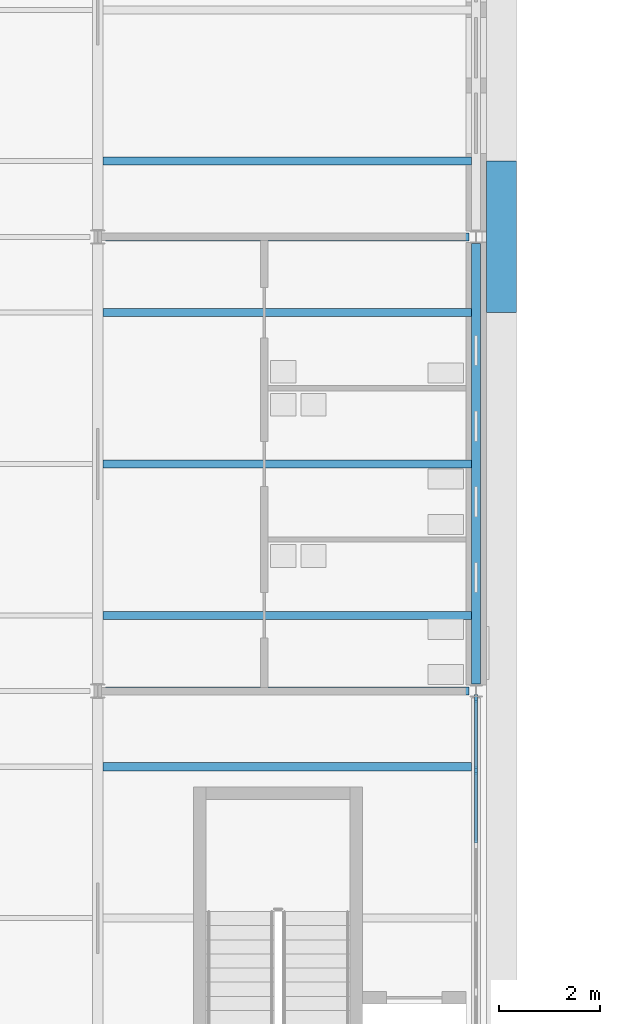
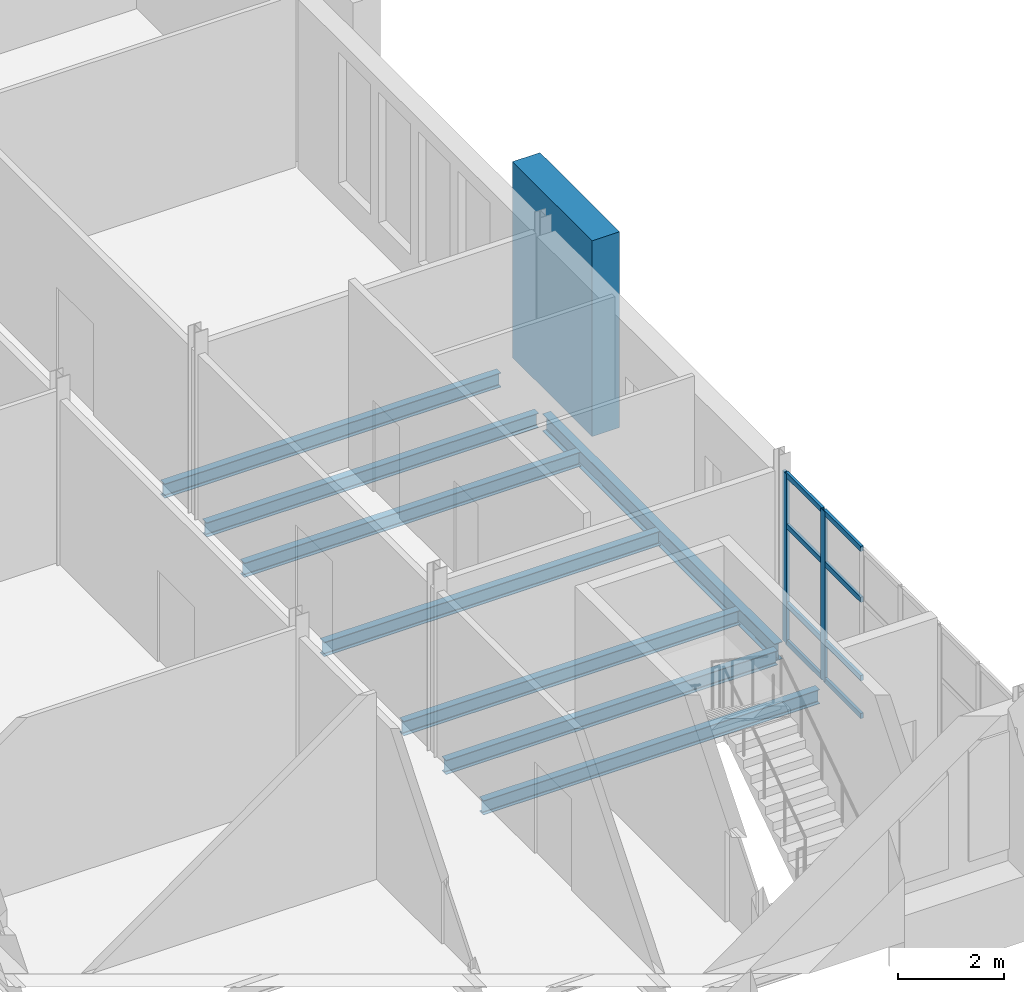
# One storey, part 35 of 131: 11 members, 8 beams, 1 element without a shape of its own.
"""IFC4 building model written with IfcOpenShell, lengths in metres."""

from ifc_helpers import new_model, si_unit, direction, frame, origin, origin_2d, place, context, subcontext, project, spatial, rectangle, i_section, extrude, material, layer, layer_set, material_profile, profile_set, type_object, element, aggregate, save


model = new_model("IFC4")

# Units and contexts
model_context = context("Model", 3, precision=1e-05, world=origin(), true_north=direction((0.0, 1.0)))
body_context = subcontext(model_context, "Body", "Model", "MODEL_VIEW")
ifc_project = project(units=[si_unit("LENGTHUNIT", "METRE"), si_unit("AREAUNIT", "SQUARE_METRE"), si_unit("VOLUMEUNIT", "CUBIC_METRE"), si_unit("PLANEANGLEUNIT", "RADIAN"), si_unit("MASSUNIT", "GRAM", prefix="KILO")], contexts=[model_context])

# Site, building, storey
site_placement = place(None, origin())
site = spatial("IfcSite", under=ifc_project, at=site_placement, CompositionType="ELEMENT")
building_placement = place(site_placement, origin())
building = spatial("IfcBuilding", under=site, at=building_placement, Name="Golden Quay Civic Hall", CompositionType="ELEMENT")
storey_placement = place(building_placement, frame((0.0, 0.0, 9.89990234375)))
storey = spatial("IfcBuildingStorey", under=building, at=storey_placement, Name="L02", CompositionType="ELEMENT", Elevation=9.89990234375)

# Curtain wall, members
ifc_material_1 = material(Name="Glass, laminated double glazed", Category="glass")
ifc_layer = layer(ifc_material_1, 0.199951171875)
ifc_layer_set = layer_set([ifc_layer], Name="Glazed core strip curtain wall")
curtain_wall_type = type_object("IfcCurtainWallType", Name="Glazed core strip curtain wall", PredefinedType="NOTDEFINED", material=ifc_layer_set)
curtain_wall_placement = place(storey_placement, origin())
curtain_wall = element("IfcCurtainWall", 1, at=curtain_wall_placement, inside=storey, type_object=curtain_wall_type, Name="Glazed core strip curtain wall L02 4", PredefinedType="NOTDEFINED")
ifc_material_2 = material(Name="Aluminium, anodised", Category="aluminium")
ifc_material_profile_1 = material_profile(ifc_material_2, rectangle(XDim=0.06005859375, YDim=0.159912109375, at=origin_2d()), Name="Aluminium 60 x 160")
ifc_profile_set_1 = profile_set([ifc_material_profile_1], Name="Aluminium, anodised")
member_type_1 = type_object("IfcMemberType", Name="Aluminium mullion 60 x 160", PredefinedType="MULLION", material=ifc_profile_set_1)
member_1_placement = place(storey_placement, frame((117.0, 8.85498046875, 0.0), z_axis=(0.0, 0.0, 1.0), x_axis=(1.0, 0.0, 0.0)))
member_1 = element("IfcMember", 2, at=member_1_placement, type_object=member_type_1, Name="CW2 mullion 1", PredefinedType="MULLION", context=body_context, shape_type="SweptSolid", body=[
    extrude(rectangle(XDim=0.06005859375, YDim=0.159912109375, at=origin_2d()), origin(), (0.0, 0.0, 1.0), 3.900146484375),
])
member_2_placement = place(storey_placement, frame((117.0, 7.42333984375, 0.0), z_axis=(0.0, 0.0, 1.0), x_axis=(1.0, 0.0, 0.0)))
member_2 = element("IfcMember", 3, at=member_2_placement, type_object=member_type_1, Name="CW2 mullion 2", PredefinedType="MULLION", context=body_context, shape_type="SweptSolid", body=[
    extrude(rectangle(XDim=0.06005859375, YDim=0.159912109375, at=origin_2d()), origin(), (0.0, 0.0, 1.0), 3.900146484375),
])
ifc_material_3 = material(Name="Aluminium, anodised", Category="aluminium")
ifc_material_profile_2 = material_profile(ifc_material_3, rectangle(XDim=0.06005859375, YDim=0.1201171875, at=origin_2d()), Name="Aluminium 60 x 120")
ifc_profile_set_2 = profile_set([ifc_material_profile_2], Name="Aluminium, anodised")
member_type_2 = type_object("IfcMemberType", Name="Aluminium transom 60 x 120", PredefinedType="USERDEFINED", material=ifc_profile_set_2)
member_3_placement = place(storey_placement, frame((117.0, 8.824951171875, 0.030029296875), z_axis=(0.0, -1.0, 0.0), x_axis=(1.0, 0.0, 0.0)))
member_3 = element("IfcMember", 4, at=member_3_placement, type_object=member_type_2, Name="CW2 transom 1.1", ObjectType="TRANSOM", PredefinedType="USERDEFINED", context=body_context, shape_type="SweptSolid", body=[
    extrude(rectangle(XDim=0.06005859375, YDim=0.1201171875, at=origin_2d()), origin(), (0.0, 0.0, 1.0), 1.37158203125),
])
member_4_placement = place(storey_placement, frame((117.0, 8.824951171875, 0.900146484375), z_axis=(0.0, -1.0, 0.0), x_axis=(1.0, 0.0, 0.0)))
member_4 = element("IfcMember", 5, at=member_4_placement, type_object=member_type_2, Name="CW2 transom 1.2", ObjectType="TRANSOM", PredefinedType="USERDEFINED", context=body_context, shape_type="SweptSolid", body=[
    extrude(rectangle(XDim=0.06005859375, YDim=0.1201171875, at=origin_2d()), origin(), (0.0, 0.0, 1.0), 1.37158203125),
])
member_5_placement = place(storey_placement, frame((117.0, 8.824951171875, 2.7001953125), z_axis=(0.0, -1.0, 0.0), x_axis=(1.0, 0.0, 0.0)))
member_5 = element("IfcMember", 6, at=member_5_placement, type_object=member_type_2, Name="CW2 transom 1.3", ObjectType="TRANSOM", PredefinedType="USERDEFINED", context=body_context, shape_type="SweptSolid", body=[
    extrude(rectangle(XDim=0.06005859375, YDim=0.1201171875, at=origin_2d()), origin(), (0.0, 0.0, 1.0), 1.37158203125),
])
member_6_placement = place(storey_placement, frame((117.0, 8.824951171875, 3.8701171875), z_axis=(0.0, -1.0, 0.0), x_axis=(1.0, 0.0, 0.0)))
member_6 = element("IfcMember", 7, at=member_6_placement, type_object=member_type_2, Name="CW2 transom 1.4", ObjectType="TRANSOM", PredefinedType="USERDEFINED", context=body_context, shape_type="SweptSolid", body=[
    extrude(rectangle(XDim=0.06005859375, YDim=0.1201171875, at=origin_2d()), origin(), (0.0, 0.0, 1.0), 1.37158203125),
])
member_7_placement = place(storey_placement, frame((117.0, 7.393310546875, 0.030029296875), z_axis=(0.0, -1.0, 0.0), x_axis=(1.0, 0.0, 0.0)))
member_7 = element("IfcMember", 8, at=member_7_placement, type_object=member_type_2, Name="CW2 transom 2.1", ObjectType="TRANSOM", PredefinedType="USERDEFINED", context=body_context, shape_type="SweptSolid", body=[
    extrude(rectangle(XDim=0.06005859375, YDim=0.1201171875, at=origin_2d()), origin(), (0.0, 0.0, 1.0), 1.401611328125),
])
member_8_placement = place(storey_placement, frame((117.0, 7.393310546875, 0.900146484375), z_axis=(0.0, -1.0, 0.0), x_axis=(1.0, 0.0, 0.0)))
member_8 = element("IfcMember", 9, at=member_8_placement, type_object=member_type_2, Name="CW2 transom 2.2", ObjectType="TRANSOM", PredefinedType="USERDEFINED", context=body_context, shape_type="SweptSolid", body=[
    extrude(rectangle(XDim=0.06005859375, YDim=0.1201171875, at=origin_2d()), origin(), (0.0, 0.0, 1.0), 1.401611328125),
])
member_9_placement = place(storey_placement, frame((117.0, 7.393310546875, 2.7001953125), z_axis=(0.0, -1.0, 0.0), x_axis=(1.0, 0.0, 0.0)))
member_9 = element("IfcMember", 10, at=member_9_placement, type_object=member_type_2, Name="CW2 transom 2.3", ObjectType="TRANSOM", PredefinedType="USERDEFINED", context=body_context, shape_type="SweptSolid", body=[
    extrude(rectangle(XDim=0.06005859375, YDim=0.1201171875, at=origin_2d()), origin(), (0.0, 0.0, 1.0), 1.401611328125),
])
member_10_placement = place(storey_placement, frame((117.0, 7.393310546875, 3.8701171875), z_axis=(0.0, -1.0, 0.0), x_axis=(1.0, 0.0, 0.0)))
member_10 = element("IfcMember", 11, at=member_10_placement, type_object=member_type_2, Name="CW2 transom 2.4", ObjectType="TRANSOM", PredefinedType="USERDEFINED", context=body_context, shape_type="SweptSolid", body=[
    extrude(rectangle(XDim=0.06005859375, YDim=0.1201171875, at=origin_2d()), origin(), (0.0, 0.0, 1.0), 1.401611328125),
])
aggregate(curtain_wall, [member_1, member_2, member_3, member_4, member_5, member_6, member_7, member_8, member_9, member_10])

# Member
ifc_material_4 = material(Name="Concrete C40/50", Category="concrete")
ifc_material_profile_3 = material_profile(ifc_material_4, rectangle(XDim=3.0, YDim=0.60009765625, at=origin_2d()), Name="RC 3000x600")
ifc_profile_set_3 = profile_set([ifc_material_profile_3], Name="Concrete C40/50")
member_type_3 = type_object("IfcMemberType", Name="Precast concrete facade pier 3000 x 600", PredefinedType="POST", material=ifc_profile_set_3)
member_11_placement = place(storey_placement, frame((117.5, 18.0, 0.0), z_axis=(0.0, 0.0, 1.0), x_axis=(0.0, 1.0, 0.0)))
element("IfcMember", 12, at=member_11_placement, inside=storey, type_object=member_type_3, Name="Precast concrete facade pier 3000 x 600 L02 29", PredefinedType="POST", context=body_context, shape_type="SweptSolid", body=[
    extrude(rectangle(XDim=3.0, YDim=0.60009765625, at=origin_2d()), origin(), (0.0, 0.0, 1.0), 4.5),
])

# Beams
ifc_material_5 = material(Name="Steel S355", Category="steel")
ifc_material_profile_4 = material_profile(ifc_material_5, i_section(OverallWidth=0.159912109375, OverallDepth=0.330078125, WebThickness=0.007568359375, FlangeThickness=0.011474609375, FilletRadius=0.01806640625, at=origin_2d()), Name="IPE 330")
ifc_profile_set_4 = profile_set([ifc_material_profile_4], Name="Steel S355")
beam_type_1 = type_object("IfcBeamType", Name="Steel beam IPE 330", PredefinedType="BEAM", material=ifc_profile_set_4)
for number, where, z_axis, x_axis, name in (
    (13, (109.64990234375, 9.0, -0.364990234375), (1.0, 0.0, 0.0), (0.0, 1.0, 0.0), "Beam S9-109.5"),
    (14, (109.64990234375, 18.0, -0.364990234375), (1.0, 0.0, 0.0), (0.0, 1.0, 0.0), "Beam S18-109.5"),
):
    element("IfcBeam", number, at=place(storey_placement, frame(where, z_axis=z_axis, x_axis=x_axis)), inside=storey, type_object=beam_type_1, Name=name, PredefinedType="BEAM", context=body_context, shape_type="SweptSolid", body=[
        extrude(i_section(OverallWidth=0.159912109375, OverallDepth=0.330078125, WebThickness=0.007568359375, FlangeThickness=0.011474609375, FilletRadius=0.01806640625, at=origin_2d()), origin(), (0.0, 0.0, 1.0), 7.210205078125),
    ])
ifc_material_6 = material(Name="Steel S355", Category="steel")
ifc_material_profile_5 = material_profile(ifc_material_6, i_section(OverallWidth=0.179931640625, OverallDepth=0.39990234375, WebThickness=0.008544921875, FlangeThickness=0.013427734375, FilletRadius=0.02099609375, at=origin_2d()), Name="IPE 400")
ifc_profile_set_5 = profile_set([ifc_material_profile_5], Name="Steel S355")
beam_type_2 = type_object("IfcBeamType", Name="Steel beam IPE 400", PredefinedType="BEAM", material=ifc_profile_set_5)
beam_placement = place(storey_placement, frame((117.0, 9.135009765625, -0.39990234375), z_axis=(0.0, 1.0, 0.0), x_axis=(-1.0, 0.0, 0.0)))
element("IfcBeam", 15, at=beam_placement, inside=storey, type_object=beam_type_2, Name="Beam L117-9", PredefinedType="BEAM", context=body_context, shape_type="SweptSolid", body=[
    extrude(i_section(OverallWidth=0.179931640625, OverallDepth=0.39990234375, WebThickness=0.008544921875, FlangeThickness=0.013427734375, FilletRadius=0.02099609375, at=origin_2d()), origin(), (0.0, 0.0, 1.0), 8.72998046875),
])
ifc_material_7 = material(Name="Steel S355", Category="steel")
ifc_material_profile_6 = material_profile(ifc_material_7, i_section(OverallWidth=0.159912109375, OverallDepth=0.330078125, WebThickness=0.007568359375, FlangeThickness=0.011474609375, FilletRadius=0.01806640625, at=origin_2d()), Name="IPE 330")
ifc_profile_set_6 = profile_set([ifc_material_profile_6], Name="Steel S355")
beam_type_3 = type_object("IfcBeamType", Name="Steel joist IPE 330", PredefinedType="JOIST", material=ifc_profile_set_6)
for number, where, z_axis, x_axis, name in (
    (16, (109.60009765625, 7.5, -0.364990234375), (1.0, 0.0, 0.0), (0.0, 1.0, 0.0), "Joist J7.5-109.5"),
    (17, (109.60009765625, 10.5, -0.364990234375), (1.0, 0.0, 0.0), (0.0, 1.0, 0.0), "Joist J10.5-109.5"),
    (18, (109.60009765625, 13.5, -0.364990234375), (1.0, 0.0, 0.0), (0.0, 1.0, 0.0), "Joist J13.5-109.5"),
    (19, (109.60009765625, 16.5, -0.364990234375), (1.0, 0.0, 0.0), (0.0, 1.0, 0.0), "Joist J16.5-109.5"),
    (20, (109.60009765625, 19.5, -0.364990234375), (1.0, 0.0, 0.0), (0.0, 1.0, 0.0), "Joist J19.5-109.5"),
):
    element("IfcBeam", number, at=place(storey_placement, frame(where, z_axis=z_axis, x_axis=x_axis)), inside=storey, type_object=beam_type_3, Name=name, PredefinedType="JOIST", context=body_context, shape_type="SweptSolid", body=[
        extrude(i_section(OverallWidth=0.159912109375, OverallDepth=0.330078125, WebThickness=0.007568359375, FlangeThickness=0.011474609375, FilletRadius=0.01806640625, at=origin_2d()), origin(), (0.0, 0.0, 1.0), 7.309814453125),
    ])

save(model, "model.ifc")
